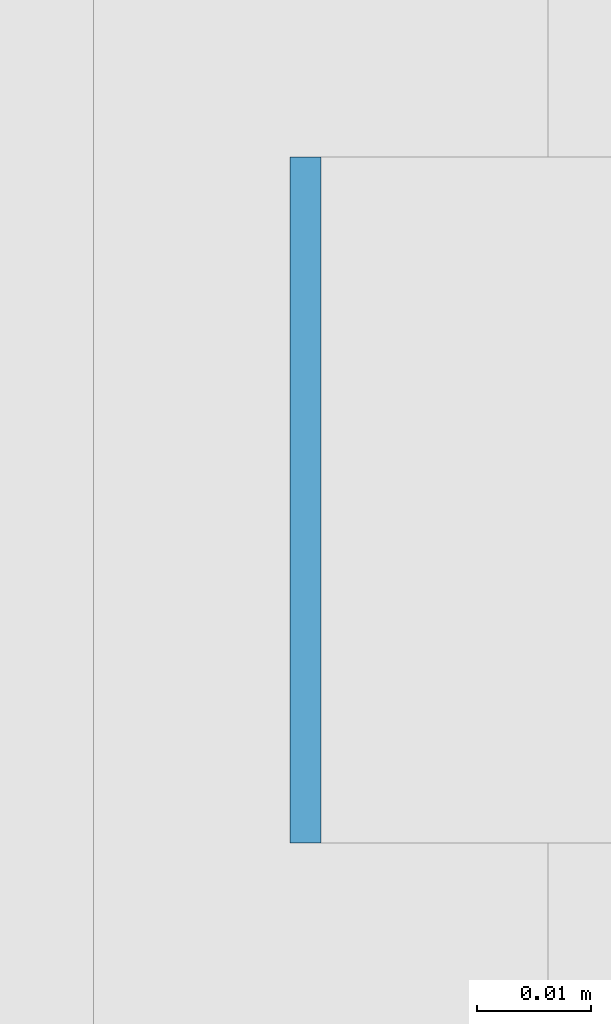
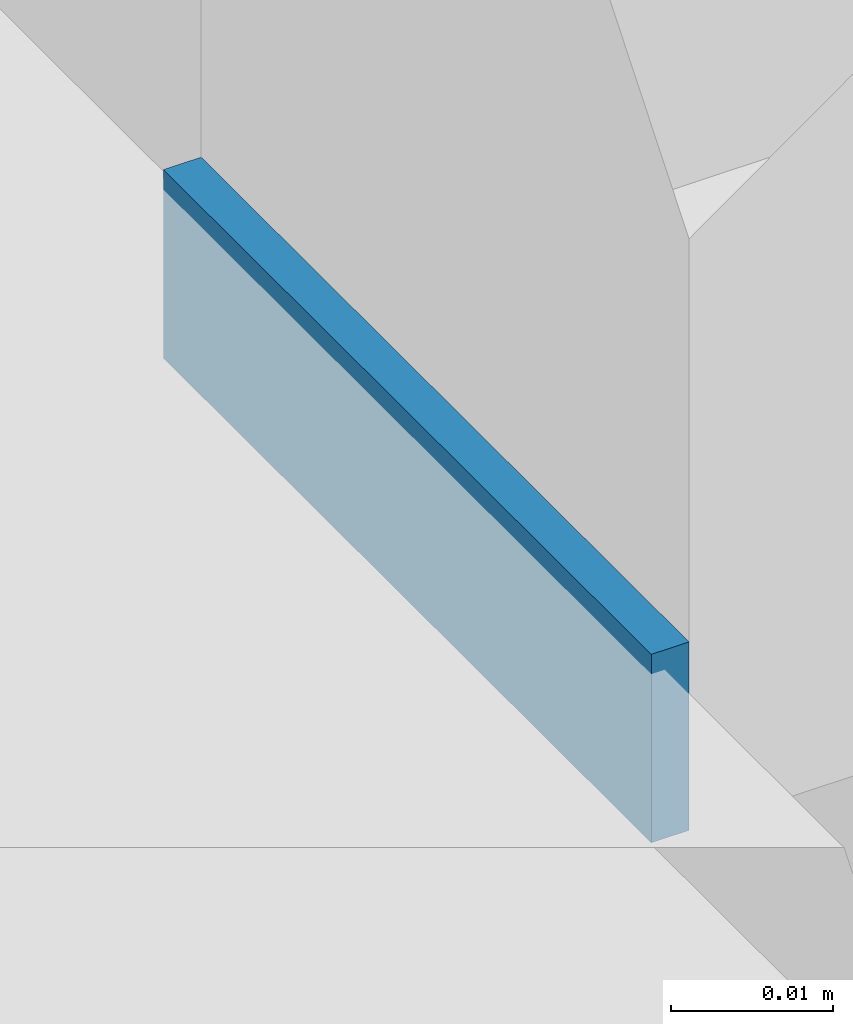
# One storey, part 608 of 646: 1 discrete accessory.
"""IFC4 building model written with IfcOpenShell, lengths in metres."""

from ifc_helpers import new_model, si_unit, direction, frame, origin, origin_2d, place, context, subcontext, project, spatial, rectangle, extrude, material, type_object, element, save


model = new_model("IFC4")

# Units and contexts
model_context = context("Model", 3, precision=1e-05, world=origin(), true_north=direction((0.0, 1.0)))
body_context = subcontext(model_context, "Body", "Model", "MODEL_VIEW")
ifc_project = project(units=[si_unit("LENGTHUNIT", "METRE"), si_unit("AREAUNIT", "SQUARE_METRE"), si_unit("VOLUMEUNIT", "CUBIC_METRE"), si_unit("PLANEANGLEUNIT", "RADIAN"), si_unit("MASSUNIT", "GRAM", prefix="KILO")], contexts=[model_context])

# Site, building, storey
site_placement = place(None, origin())
site = spatial("IfcSite", under=ifc_project, at=site_placement, CompositionType="ELEMENT")
building_placement = place(site_placement, origin())
building = spatial("IfcBuilding", under=site, at=building_placement, Name="Silverbay Arena", CompositionType="ELEMENT")
storey_placement = place(building_placement, frame((0.0, 0.0, 33.5)))
storey = spatial("IfcBuildingStorey", under=building, at=storey_placement, Name="L05", CompositionType="ELEMENT", Elevation=33.5)

# Discrete accessory
ifc_material = material(Name="Steel S355", Category="steel")
discrete_accessory_type = type_object("IfcDiscreteAccessoryType", Name="Steel bracket plate", PredefinedType="BRACKET", material=ifc_material)
discrete_accessory_placement = place(storey_placement, frame((207.128662109375, 127.433349609375, 4.0), z_axis=(0.0, 0.0, 1.0), x_axis=(1.0, 0.0, 0.0)))
element("IfcDiscreteAccessory", 1, at=discrete_accessory_placement, inside=storey, type_object=discrete_accessory_type, Name="Curtain wall packing plate", PredefinedType="BRACKET", context=body_context, shape_type="SweptSolid", body=[
    extrude(rectangle(XDim=0.002685546875, YDim=0.06005859375, at=origin_2d()), origin(), (0.0, 0.0, 1.0), 0.01416015625),
])

save(model, "model.ifc")
